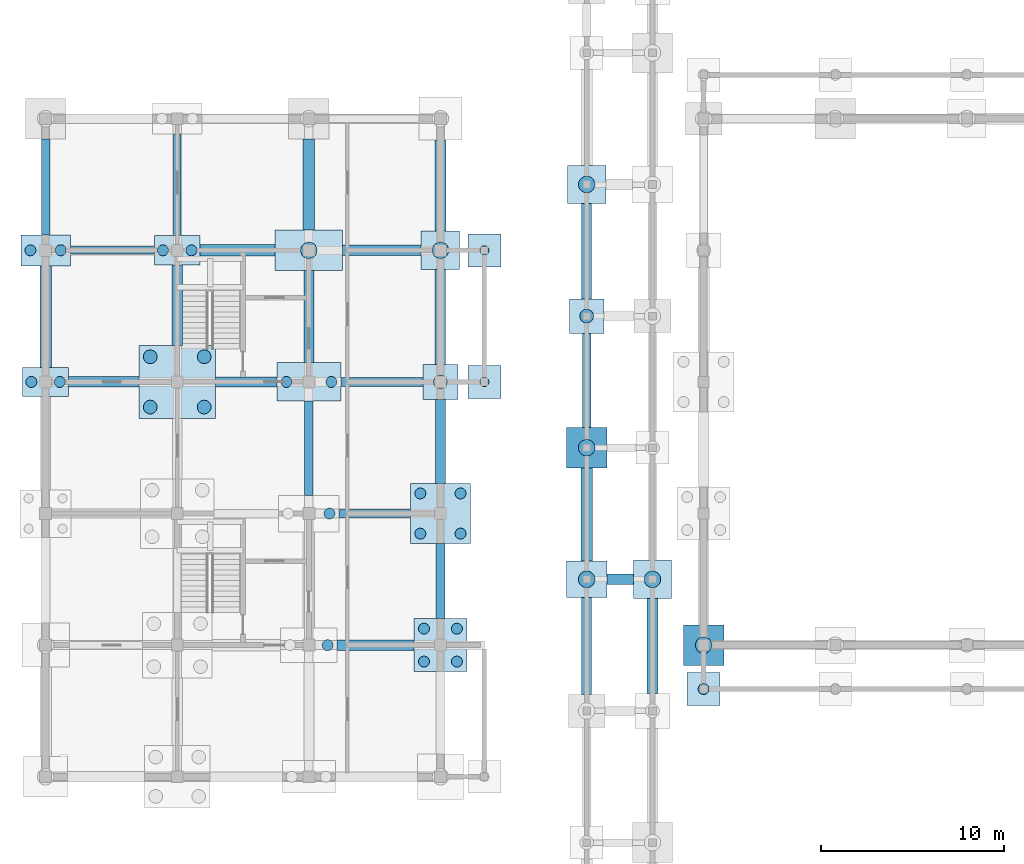
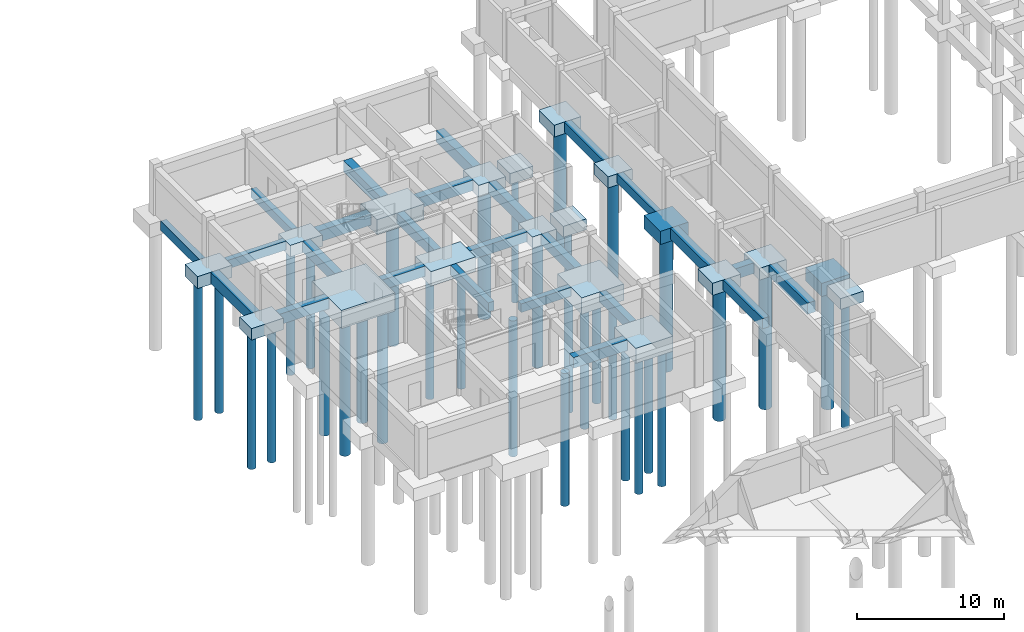
# One storey, part 8 of 38: 44 footings, 34 piles.
"""IFC4 building model written with IfcOpenShell, lengths in metres."""

from ifc_helpers import new_model, si_unit, direction, frame, origin, origin_2d, place, context, subcontext, project, spatial, polyline, rectangle, circle, outline, extrude, material, material_profile, profile_set, type_object, element, save


model = new_model("IFC4")

# Units and contexts
model_context = context("Model", 3, precision=1e-05, world=origin(), true_north=direction((0.0, 1.0)))
body_context = subcontext(model_context, "Body", "Model", "MODEL_VIEW")
ifc_project = project(units=[si_unit("LENGTHUNIT", "METRE"), si_unit("AREAUNIT", "SQUARE_METRE"), si_unit("VOLUMEUNIT", "CUBIC_METRE"), si_unit("PLANEANGLEUNIT", "RADIAN"), si_unit("MASSUNIT", "GRAM", prefix="KILO"), si_unit("THERMODYNAMICTEMPERATUREUNIT", "KELVIN"), si_unit("POWERUNIT", "WATT")], contexts=[model_context])

# Site, building, storey
site_placement = place(None, origin())
site = spatial("IfcSite", under=ifc_project, at=site_placement, CompositionType="ELEMENT")
building_placement = place(site_placement, origin())
building = spatial("IfcBuilding", under=site, at=building_placement, Name="Tavuni Mirador Residences", CompositionType="ELEMENT")
storey_placement = place(building_placement, frame((0.0, 0.0, -4.199951171875)))
storey = spatial("IfcBuildingStorey", under=building, at=storey_placement, Name="B1", CompositionType="ELEMENT", Elevation=-4.199951171875)

# Footings
ifc_material = material(Name="In-situ concrete C35/45", Category="concrete")
footing_type_1 = type_object("IfcFootingType", Name="FT-GB01", PredefinedType="FOOTING_BEAM", material=ifc_material)
footing_1_placement = place(storey_placement, frame((0.0, 0.0, -0.719970703125)))
element("IfcFooting", 1, at=footing_1_placement, inside=storey, type_object=footing_type_1, Name="GBX-BLK-B-00-04", PredefinedType="FOOTING_BEAM", context=body_context, shape_type="SweptSolid", body=[
    extrude(outline(polyline([(4.949951171875, 93.389892578125), (9.550048828125, 93.389892578125), (9.550048828125, 93.81005859375), (4.949951171875, 93.81005859375), (4.949951171875, 93.389892578125)])), origin(), (0.0, 0.0, 1.0), 0.719970703125),
])
footing_2_placement = place(storey_placement, frame((0.0, 0.0, -0.719970703125)))
element("IfcFooting", 2, at=footing_2_placement, inside=storey, type_object=footing_type_1, Name="GBY-BLK-B-01-04", PredefinedType="FOOTING_BEAM", context=body_context, shape_type="SweptSolid", body=[
    extrude(outline(polyline([(10.590087890625, 94.39990234375), (11.010009765625, 94.39990234375), (11.010009765625, 99.949951171875), (10.590087890625, 99.949951171875), (10.590087890625, 94.39990234375)])), origin(), (0.0, 0.0, 1.0), 0.719970703125),
])
footing_3_placement = place(storey_placement, frame((0.0, 0.0, -0.719970703125)))
element("IfcFooting", 3, at=footing_3_placement, inside=storey, type_object=footing_type_1, Name="GBX-BLK-B-02-02", PredefinedType="FOOTING_BEAM", context=body_context, shape_type="SweptSolid", body=[
    extrude(outline(polyline([(19.64990234375, 78.989990234375), (23.550048828125, 78.989990234375), (23.550048828125, 79.409912109375), (19.64990234375, 79.409912109375), (19.64990234375, 78.989990234375)])), origin(), (0.0, 0.0, 1.0), 0.719970703125),
])
footing_type_2 = type_object("IfcFootingType", Name="FT-GB02", PredefinedType="FOOTING_BEAM", material=ifc_material)
footing_4_placement = place(storey_placement, frame((0.0, 0.0, -0.760009765625)))
element("IfcFooting", 4, at=footing_4_placement, inside=storey, type_object=footing_type_2, Name="GBY-BLK-B-00-04", PredefinedType="FOOTING_BEAM", context=body_context, shape_type="SweptSolid", body=[
    extrude(outline(polyline([(3.3701171875, 94.449951171875), (3.830078125, 94.449951171875), (3.830078125, 99.699951171875), (3.3701171875, 99.699951171875), (3.3701171875, 94.449951171875)])), origin(), (0.0, 0.0, 1.0), 0.760009765625),
])
footing_5_placement = place(storey_placement, frame((0.0, 0.0, -0.760009765625)))
element("IfcFooting", 5, at=footing_5_placement, inside=storey, type_object=footing_type_2, Name="GBY-BLK-B-02-02", PredefinedType="FOOTING_BEAM", context=body_context, shape_type="SweptSolid", body=[
    extrude(outline(polyline([(17.77001953125, 80.199951171875), (18.22998046875, 80.199951171875), (18.22998046875, 85.35009765625), (17.77001953125, 85.35009765625), (17.77001953125, 80.199951171875)])), origin(), (0.0, 0.0, 1.0), 0.760009765625),
])
footing_6_placement = place(storey_placement, frame((0.0, 0.0, -0.760009765625)))
element("IfcFooting", 6, at=footing_6_placement, inside=storey, type_object=footing_type_2, Name="GBY-PAV-COL-00-04", PredefinedType="FOOTING_BEAM", context=body_context, shape_type="SweptSolid", body=[
    extrude(outline(polyline([(32.969970703125, 83.89990234375), (33.429931640625, 83.89990234375), (33.429931640625, 89.050048828125), (32.969970703125, 89.050048828125), (32.969970703125, 83.89990234375)])), origin(), (0.0, 0.0, 1.0), 0.760009765625),
])
footing_type_3 = type_object("IfcFootingType", Name="FT-GB03", PredefinedType="FOOTING_BEAM", material=ifc_material)
footing_7_placement = place(storey_placement, frame((0.0, 0.0, -0.800048828125)))
element("IfcFooting", 7, at=footing_7_placement, inside=storey, type_object=footing_type_3, Name="GBX-BLK-B-02-03", PredefinedType="FOOTING_BEAM", context=body_context, shape_type="SweptSolid", body=[
    extrude(outline(polyline([(19.75, 86.14990234375), (24.25, 86.14990234375), (24.25, 86.64990234375), (19.75, 86.64990234375), (19.75, 86.14990234375)])), origin(), (0.0, 0.0, 1.0), 0.800048828125),
])
footing_8_placement = place(storey_placement, frame((0.0, 0.0, -0.800048828125)))
element("IfcFooting", 8, at=footing_8_placement, inside=storey, type_object=footing_type_3, Name="GBY-BLK-B-03-01", PredefinedType="FOOTING_BEAM", context=body_context, shape_type="SweptSolid", body=[
    extrude(outline(polyline([(24.949951171875, 73.449951171875), (25.449951171875, 73.449951171875), (25.449951171875, 77.550048828125), (24.949951171875, 77.550048828125), (24.949951171875, 73.449951171875)])), origin(), (0.0, 0.0, 1.0), 0.800048828125),
])
footing_type_4 = type_object("IfcFootingType", Name="FT-GB04", PredefinedType="FOOTING_BEAM", material=ifc_material)
footing_9_placement = place(storey_placement, frame((0.0, 0.0, -0.840087890625)))
element("IfcFooting", 9, at=footing_9_placement, inside=storey, type_object=footing_type_4, Name="GBX-BLK-B-01-03", PredefinedType="FOOTING_BEAM", context=body_context, shape_type="SweptSolid", body=[
    extrude(outline(polyline([(12.89990234375, 86.1298828125), (16.25, 86.1298828125), (16.25, 86.669921875), (12.89990234375, 86.669921875), (12.89990234375, 86.1298828125)])), origin(), (0.0, 0.0, 1.0), 0.840087890625),
])
footing_10_placement = place(storey_placement, frame((0.0, 0.0, -0.840087890625)))
element("IfcFooting", 10, at=footing_10_placement, inside=storey, type_object=footing_type_4, Name="GBY-BLK-B-02-03", PredefinedType="FOOTING_BEAM", context=body_context, shape_type="SweptSolid", body=[
    extrude(outline(polyline([(17.72998046875, 87.449951171875), (18.27001953125, 87.449951171875), (18.27001953125, 92.5), (17.72998046875, 92.5), (17.72998046875, 87.449951171875)])), origin(), (0.0, 0.0, 1.0), 0.840087890625),
])
footing_11_placement = place(storey_placement, frame((0.0, 0.0, -0.840087890625)))
element("IfcFooting", 11, at=footing_11_placement, inside=storey, type_object=footing_type_4, Name="GBY-BLK-B-03-02", PredefinedType="FOOTING_BEAM", context=body_context, shape_type="SweptSolid", body=[
    extrude(outline(polyline([(24.929931640625, 80.85009765625), (25.469970703125, 80.85009765625), (25.469970703125, 85.449951171875), (24.929931640625, 85.449951171875), (24.929931640625, 80.85009765625)])), origin(), (0.0, 0.0, 1.0), 0.840087890625),
])
footing_12_placement = place(storey_placement, frame((0.0, 0.0, -0.840087890625)))
element("IfcFooting", 12, at=footing_12_placement, inside=storey, type_object=footing_type_4, Name="GBY-PAV-COL-00-02", PredefinedType="FOOTING_BEAM", context=body_context, shape_type="SweptSolid", body=[
    extrude(outline(polyline([(32.929931640625, 69.300048828125), (33.469970703125, 69.300048828125), (33.469970703125, 74.60009765625), (32.929931640625, 74.60009765625), (32.929931640625, 69.300048828125)])), origin(), (0.0, 0.0, 1.0), 0.840087890625),
])
footing_13_placement = place(storey_placement, frame((0.0, 0.0, -0.840087890625)))
element("IfcFooting", 13, at=footing_13_placement, inside=storey, type_object=footing_type_4, Name="GBY-PAV-COL-00-05", PredefinedType="FOOTING_BEAM", context=body_context, shape_type="SweptSolid", body=[
    extrude(outline(polyline([(32.929931640625, 90.949951171875), (33.469970703125, 90.949951171875), (33.469970703125, 96.14990234375), (32.929931640625, 96.14990234375), (32.929931640625, 90.949951171875)])), origin(), (0.0, 0.0, 1.0), 0.840087890625),
])
footing_type_5 = type_object("IfcFootingType", Name="FT-GB05", PredefinedType="FOOTING_BEAM", material=ifc_material)
footing_14_placement = place(storey_placement, frame((0.0, 0.0, -0.880126953125)))
element("IfcFooting", 14, at=footing_14_placement, inside=storey, type_object=footing_type_5, Name="GBX-BLK-B-00-03", PredefinedType="FOOTING_BEAM", context=body_context, shape_type="SweptSolid", body=[
    extrude(outline(polyline([(4.85009765625, 86.110107421875), (8.699951171875, 86.110107421875), (8.699951171875, 86.68994140625), (4.85009765625, 86.68994140625), (4.85009765625, 86.110107421875)])), origin(), (0.0, 0.0, 1.0), 0.880126953125),
])
footing_15_placement = place(storey_placement, frame((0.0, 0.0, -0.880126953125)))
element("IfcFooting", 15, at=footing_15_placement, inside=storey, type_object=footing_type_5, Name="GBY-BLK-B-01-03", PredefinedType="FOOTING_BEAM", context=body_context, shape_type="SweptSolid", body=[
    extrude(outline(polyline([(10.510009765625, 88.39990234375), (11.090087890625, 88.39990234375), (11.090087890625, 92.800048828125), (10.510009765625, 92.800048828125), (10.510009765625, 88.39990234375)])), origin(), (0.0, 0.0, 1.0), 0.880126953125),
])
footing_16_placement = place(storey_placement, frame((0.0, 0.0, -0.880126953125)))
element("IfcFooting", 16, at=footing_16_placement, inside=storey, type_object=footing_type_5, Name="GBX-BLK-B-02-01", PredefinedType="FOOTING_BEAM", context=body_context, shape_type="SweptSolid", body=[
    extrude(outline(polyline([(19.550048828125, 71.7099609375), (23.75, 71.7099609375), (23.75, 72.2900390625), (19.550048828125, 72.2900390625), (19.550048828125, 71.7099609375)])), origin(), (0.0, 0.0, 1.0), 0.880126953125),
])
footing_17_placement = place(storey_placement, frame((0.0, 0.0, -0.880126953125)))
element("IfcFooting", 17, at=footing_17_placement, inside=storey, type_object=footing_type_5, Name="GBX-BLK-B-02-04", PredefinedType="FOOTING_BEAM", context=body_context, shape_type="SweptSolid", body=[
    extrude(outline(polyline([(19.85009765625, 93.31005859375), (24.14990234375, 93.31005859375), (24.14990234375, 93.889892578125), (19.85009765625, 93.889892578125), (19.85009765625, 93.31005859375)])), origin(), (0.0, 0.0, 1.0), 0.880126953125),
])
footing_18_placement = place(storey_placement, frame((0.0, 0.0, -0.880126953125)))
element("IfcFooting", 18, at=footing_18_placement, inside=storey, type_object=footing_type_5, Name="GBY-BLK-B-03-03", PredefinedType="FOOTING_BEAM", context=body_context, shape_type="SweptSolid", body=[
    extrude(outline(polyline([(24.909912109375, 87.35009765625), (25.489990234375, 87.35009765625), (25.489990234375, 92.550048828125), (24.909912109375, 92.550048828125), (24.909912109375, 87.35009765625)])), origin(), (0.0, 0.0, 1.0), 0.880126953125),
])
footing_19_placement = place(storey_placement, frame((0.0, 0.0, -0.880126953125)))
element("IfcFooting", 19, at=footing_19_placement, inside=storey, type_object=footing_type_5, Name="GBX-PAV-COL-00-03", PredefinedType="FOOTING_BEAM", context=body_context, shape_type="SweptSolid", body=[
    extrude(outline(polyline([(34.300048828125, 75.31005859375), (35.75, 75.31005859375), (35.75, 75.889892578125), (34.300048828125, 75.889892578125), (34.300048828125, 75.31005859375)])), origin(), (0.0, 0.0, 1.0), 0.880126953125),
])
footing_type_6 = type_object("IfcFootingType", Name="FT-GB06", PredefinedType="FOOTING_BEAM", material=ifc_material)
footing_20_placement = place(storey_placement, frame((0.0, 0.0, -0.920166015625)))
element("IfcFooting", 20, at=footing_20_placement, inside=storey, type_object=footing_type_6, Name="GBY-BLK-B-00-03", PredefinedType="FOOTING_BEAM", context=body_context, shape_type="SweptSolid", body=[
    extrude(outline(polyline([(3.2900390625, 87.199951171875), (3.909912109375, 87.199951171875), (3.909912109375, 92.75), (3.2900390625, 92.75), (3.2900390625, 87.199951171875)])), origin(), (0.0, 0.0, 1.0), 0.920166015625),
])
footing_21_placement = place(storey_placement, frame((0.0, 0.0, -0.920166015625)))
element("IfcFooting", 21, at=footing_21_placement, inside=storey, type_object=footing_type_6, Name="GBX-BLK-B-01-04", PredefinedType="FOOTING_BEAM", context=body_context, shape_type="SweptSolid", body=[
    extrude(outline(polyline([(12.050048828125, 93.2900390625), (16.14990234375, 93.2900390625), (16.14990234375, 93.909912109375), (12.050048828125, 93.909912109375), (12.050048828125, 93.2900390625)])), origin(), (0.0, 0.0, 1.0), 0.920166015625),
])
footing_22_placement = place(storey_placement, frame((0.0, 0.0, -0.920166015625)))
element("IfcFooting", 22, at=footing_22_placement, inside=storey, type_object=footing_type_6, Name="GBY-BLK-B-02-04", PredefinedType="FOOTING_BEAM", context=body_context, shape_type="SweptSolid", body=[
    extrude(outline(polyline([(17.68994140625, 94.699951171875), (18.31005859375, 94.699951171875), (18.31005859375, 99.699951171875), (17.68994140625, 99.699951171875), (17.68994140625, 94.699951171875)])), origin(), (0.0, 0.0, 1.0), 0.920166015625),
])
footing_23_placement = place(storey_placement, frame((0.0, 0.0, -0.920166015625)))
element("IfcFooting", 23, at=footing_23_placement, inside=storey, type_object=footing_type_6, Name="GBY-BLK-B-03-04", PredefinedType="FOOTING_BEAM", context=body_context, shape_type="SweptSolid", body=[
    extrude(outline(polyline([(24.889892578125, 94.64990234375), (25.510009765625, 94.64990234375), (25.510009765625, 99.625), (24.889892578125, 99.625), (24.889892578125, 94.64990234375)])), origin(), (0.0, 0.0, 1.0), 0.920166015625),
])
footing_24_placement = place(storey_placement, frame((0.0, 0.0, -0.920166015625)))
element("IfcFooting", 24, at=footing_24_placement, inside=storey, type_object=footing_type_6, Name="GBY-PAV-COL-00-03", PredefinedType="FOOTING_BEAM", context=body_context, shape_type="SweptSolid", body=[
    extrude(outline(polyline([(32.889892578125, 76.60009765625), (33.510009765625, 76.60009765625), (33.510009765625, 81.699951171875), (32.889892578125, 81.699951171875), (32.889892578125, 76.60009765625)])), origin(), (0.0, 0.0, 1.0), 0.920166015625),
])
footing_25_placement = place(storey_placement, frame((0.0, 0.0, -0.920166015625)))
element("IfcFooting", 25, at=footing_25_placement, inside=storey, type_object=footing_type_6, Name="GBY-PAV-COL-01-02", PredefinedType="FOOTING_BEAM", context=body_context, shape_type="SweptSolid", body=[
    extrude(outline(polyline([(36.489990234375, 69.35009765625), (37.110107421875, 69.35009765625), (37.110107421875, 74.550048828125), (36.489990234375, 74.550048828125), (36.489990234375, 69.35009765625)])), origin(), (0.0, 0.0, 1.0), 0.920166015625),
])
footing_type_7 = type_object("IfcFootingType", Name="FT-PC01", PredefinedType="PILE_CAP", material=ifc_material)
for number, where, z_axis, x_axis, name in (
    (26, (27.60009765625, 86.39990234375, -0.89990234375), (0.0, 0.0, 1.0), (1.0, 0.0, 0.0), "CAP-APR-BLKB-E2-1"),
    (27, (27.60009765625, 93.60009765625, -0.89990234375), (0.0, 0.0, 1.0), (1.0, 0.0, 0.0), "CAP-APR-BLKB-E2-2"),
    (28, (39.60009765625, 69.60009765625, -0.89990234375), (0.0, 0.0, 1.0), (1.0, 0.0, 0.0), "CAP-HALL-EAVE-S-00"),
):
    element("IfcFooting", number, at=place(storey_placement, frame(where, z_axis=z_axis, x_axis=x_axis)), inside=storey, type_object=footing_type_7, Name=name, PredefinedType="PILE_CAP", context=body_context, shape_type="SweptSolid", body=[
        extrude(rectangle(XDim=1.800048828125, YDim=1.800048828125, at=origin_2d()), origin(), (0.0, 0.0, 1.0), 0.89990234375),
    ])
footing_type_8 = type_object("IfcFootingType", Name="FT-PC03", PredefinedType="PILE_CAP", material=ifc_material)
footing_26_placement = place(storey_placement, frame((33.199951171875, 75.60009765625, -1.0), z_axis=(0.0, 0.0, 1.0), x_axis=(1.0, 0.0, 0.0)))
element("IfcFooting", 29, at=footing_26_placement, inside=storey, type_object=footing_type_8, Name="CAP-PAV-COL-00-03", PredefinedType="PILE_CAP", context=body_context, shape_type="SweptSolid", body=[
    extrude(rectangle(XDim=2.199951171875, YDim=2.0, at=origin_2d()), origin(), (0.0, 0.0, 1.0), 1.0),
])
footing_type_9 = type_object("IfcFootingType", Name="FT-PC13", PredefinedType="PILE_CAP", material=ifc_material)
footing_27_placement = place(storey_placement, frame((10.800048828125, 86.39990234375, -1.5), z_axis=(0.0, 0.0, 1.0), x_axis=(1.0, 0.0, 0.0)))
element("IfcFooting", 30, at=footing_27_placement, inside=storey, type_object=footing_type_9, Name="CAP-BLK-B-01-03", PredefinedType="PILE_CAP", context=body_context, shape_type="SweptSolid", body=[
    extrude(rectangle(XDim=4.199951171875, YDim=4.0, at=origin_2d()), origin(), (0.0, 0.0, 1.0), 1.5),
])
footing_type_10 = type_object("IfcFootingType", Name="FT-PC14", PredefinedType="PILE_CAP", material=ifc_material)
for number, where, z_axis, x_axis, name in (
    (31, (3.60009765625, 86.39990234375, -0.9501953125), (0.0, 0.0, 1.0), (1.0, 0.0, 0.0), "CAP-BLK-B-00-03"),
    (32, (10.800048828125, 93.60009765625, -0.9501953125), (0.0, 0.0, 1.0), (1.0, 0.0, 0.0), "CAP-BLK-B-01-04"),
):
    element("IfcFooting", number, at=place(storey_placement, frame(where, z_axis=z_axis, x_axis=x_axis)), inside=storey, type_object=footing_type_10, Name=name, PredefinedType="PILE_CAP", context=body_context, shape_type="SweptSolid", body=[
        extrude(rectangle(XDim=2.5, YDim=1.60009765625, at=origin_2d()), origin(), (0.0, 0.0, 1.0), 0.949951171875),
    ])
footing_type_11 = type_object("IfcFootingType", Name="FT-PC15", PredefinedType="PILE_CAP", material=ifc_material)
footing_28_placement = place(storey_placement, frame((3.60009765625, 93.60009765625, -1.0), z_axis=(0.0, 0.0, 1.0), x_axis=(1.0, 0.0, 0.0)))
element("IfcFooting", 33, at=footing_28_placement, inside=storey, type_object=footing_type_11, Name="CAP-BLK-B-00-04", PredefinedType="PILE_CAP", context=body_context, shape_type="SweptSolid", body=[
    extrude(rectangle(XDim=2.699951171875, YDim=1.699951171875, at=origin_2d()), origin(), (0.0, 0.0, 1.0), 1.0),
])
footing_type_12 = type_object("IfcFootingType", Name="FT-PC19", PredefinedType="PILE_CAP", material=ifc_material)
footing_29_placement = place(storey_placement, frame((18.0, 86.39990234375, -1.2001953125), z_axis=(0.0, 0.0, 1.0), x_axis=(1.0, 0.0, 0.0)))
element("IfcFooting", 34, at=footing_29_placement, inside=storey, type_object=footing_type_12, Name="CAP-BLK-B-02-03", PredefinedType="PILE_CAP", context=body_context, shape_type="SweptSolid", body=[
    extrude(rectangle(XDim=3.5, YDim=2.10009765625, at=origin_2d()), origin(), (0.0, 0.0, 1.0), 1.199951171875),
])
footing_type_13 = type_object("IfcFootingType", Name="FT-PC20", PredefinedType="PILE_CAP", material=ifc_material)
footing_30_placement = place(storey_placement, frame((18.0, 93.60009765625, -1.25), z_axis=(0.0, 0.0, 1.0), x_axis=(1.0, 0.0, 0.0)))
element("IfcFooting", 35, at=footing_30_placement, inside=storey, type_object=footing_type_13, Name="CAP-BLK-B-02-04", PredefinedType="PILE_CAP", context=body_context, shape_type="SweptSolid", body=[
    extrude(rectangle(XDim=3.699951171875, YDim=2.199951171875, at=origin_2d()), origin(), (0.0, 0.0, 1.0), 1.25),
])
footing_type_14 = type_object("IfcFootingType", Name="FT-PC21", PredefinedType="PILE_CAP", material=ifc_material)
for number, where, z_axis, x_axis, name in (
    (36, (39.60009765625, 72.0, -1.10009765625), (0.0, 0.0, 1.0), (1.0, 0.0, 0.0), "CAP-PAV-HALL-00-00"),
    (37, (33.199951171875, 82.800048828125, -1.10009765625), (0.0, 0.0, 1.0), (1.0, 0.0, 0.0), "CAP-PAV-COL-00-04"),
):
    element("IfcFooting", number, at=place(storey_placement, frame(where, z_axis=z_axis, x_axis=x_axis)), inside=storey, type_object=footing_type_14, Name=name, PredefinedType="PILE_CAP", context=body_context, shape_type="SweptSolid", body=[
        extrude(rectangle(XDim=2.199951171875, YDim=2.199951171875, at=origin_2d()), origin(), (0.0, 0.0, 1.0), 1.10009765625),
    ])
footing_type_15 = type_object("IfcFootingType", Name="FT-PC23", PredefinedType="PILE_CAP", material=ifc_material)
footing_31_placement = place(storey_placement, frame((25.199951171875, 72.0, -1.25), z_axis=(0.0, 0.0, 1.0), x_axis=(1.0, 0.0, 0.0)))
element("IfcFooting", 38, at=footing_31_placement, inside=storey, type_object=footing_type_15, Name="CAP-BLK-B-03-01", PredefinedType="PILE_CAP", context=body_context, shape_type="SweptSolid", body=[
    extrude(rectangle(XDim=2.89990234375, YDim=2.89990234375, at=origin_2d()), origin(), (0.0, 0.0, 1.0), 1.25),
])
footing_type_16 = type_object("IfcFootingType", Name="FT-PC24", PredefinedType="PILE_CAP", material=ifc_material)
footing_32_placement = place(storey_placement, frame((25.199951171875, 79.199951171875, -1.35009765625), z_axis=(0.0, 0.0, 1.0), x_axis=(1.0, 0.0, 0.0)))
element("IfcFooting", 39, at=footing_32_placement, inside=storey, type_object=footing_type_16, Name="CAP-BLK-B-03-02", PredefinedType="PILE_CAP", context=body_context, shape_type="SweptSolid", body=[
    extrude(rectangle(XDim=3.300048828125, YDim=3.300048828125, at=origin_2d()), origin(), (0.0, 0.0, 1.0), 1.35009765625),
])
footing_type_17 = type_object("IfcFootingType", Name="FT-PC25", PredefinedType="PILE_CAP", material=ifc_material)
for number, where, z_axis, x_axis, name in (
    (40, (25.199951171875, 86.39990234375, -0.919921875), (0.0, 0.0, 1.0), (1.0, 0.0, 0.0), "CAP-BLK-B-03-03"),
    (41, (33.199951171875, 90.0, -0.919921875), (0.0, 0.0, 1.0), (1.0, 0.0, 0.0), "CAP-PAV-COL-00-05"),
):
    element("IfcFooting", number, at=place(storey_placement, frame(where, z_axis=z_axis, x_axis=x_axis)), inside=storey, type_object=footing_type_17, Name=name, PredefinedType="PILE_CAP", context=body_context, shape_type="SweptSolid", body=[
        extrude(rectangle(XDim=1.89990234375, YDim=1.89990234375, at=origin_2d()), origin(), (0.0, 0.0, 1.0), 0.919921875),
    ])
footing_type_18 = type_object("IfcFootingType", Name="FT-PC26", PredefinedType="PILE_CAP", material=ifc_material)
for number, where, z_axis, x_axis, name in (
    (42, (25.199951171875, 93.60009765625, -0.97998046875), (0.0, 0.0, 1.0), (1.0, 0.0, 0.0), "CAP-BLK-B-03-04"),
    (43, (33.199951171875, 97.199951171875, -0.97998046875), (0.0, 0.0, 1.0), (1.0, 0.0, 0.0), "CAP-PAV-COL-00-06"),
    (44, (36.800048828125, 75.60009765625, -0.97998046875), (0.0, 0.0, 1.0), (1.0, 0.0, 0.0), "CAP-PAV-COL-01-03"),
):
    element("IfcFooting", number, at=place(storey_placement, frame(where, z_axis=z_axis, x_axis=x_axis)), inside=storey, type_object=footing_type_18, Name=name, PredefinedType="PILE_CAP", context=body_context, shape_type="SweptSolid", body=[
        extrude(rectangle(XDim=2.10009765625, YDim=2.10009765625, at=origin_2d()), origin(), (0.0, 0.0, 1.0), 0.97998046875),
    ])

# Piles
ifc_material_profile_1 = material_profile(ifc_material, circle(Radius=0.25, at=origin_2d()), Name="PILE D500", Category="concrete")
ifc_profile_set_1 = profile_set([ifc_material_profile_1], Name="In-situ concrete C35/45")
pile_type_1 = type_object("IfcPileType", Name="PT-D500", PredefinedType="BORED", material=ifc_profile_set_1)
for number, where, z_axis, x_axis, name in (
    (45, (27.60009765625, 86.39990234375, -0.800048828125), (0.0, 0.0, -1.0), (1.0, 0.0, 0.0), "PIL-APR-BLKB-E2-1"),
    (46, (27.60009765625, 93.60009765625, -0.800048828125), (0.0, 0.0, -1.0), (1.0, 0.0, 0.0), "PIL-APR-BLKB-E2-2"),
):
    element("IfcPile", number, at=place(storey_placement, frame(where, z_axis=z_axis, x_axis=x_axis)), inside=storey, type_object=pile_type_1, Name=name, PredefinedType="BORED", context=body_context, shape_type="SweptSolid", body=[
        extrude(circle(Radius=0.25, at=origin_2d()), origin(), (0.0, 0.0, 1.0), 10.60009765625),
    ])
ifc_material_profile_2 = material_profile(ifc_material, circle(Radius=0.300048828125, at=origin_2d()), Name="PILE D600", Category="concrete")
ifc_profile_set_2 = profile_set([ifc_material_profile_2], Name="In-situ concrete C35/45")
pile_type_2 = type_object("IfcPileType", Name="PT-D600", PredefinedType="BORED", material=ifc_profile_set_2)
for number, where, z_axis, x_axis, name in (
    (47, (2.820068359375, 86.39990234375, -0.949951171875), (0.0, 0.0, -1.0), (1.0, 0.0, 0.0), "PIL-BLK-B-00-03-1"),
    (48, (4.3798828125, 86.39990234375, -0.949951171875), (0.0, 0.0, -1.0), (1.0, 0.0, 0.0), "PIL-BLK-B-00-03-2"),
):
    element("IfcPile", number, at=place(storey_placement, frame(where, z_axis=z_axis, x_axis=x_axis)), inside=storey, type_object=pile_type_2, Name=name, PredefinedType="BORED", context=body_context, shape_type="SweptSolid", body=[
        extrude(circle(Radius=0.300048828125, at=origin_2d()), origin(), (0.0, 0.0, 1.0), 11.14990234375),
    ])
for number, where, z_axis, x_axis, name in (
    (49, (2.77001953125, 93.60009765625, -1.0), (0.0, 0.0, -1.0), (1.0, 0.0, 0.0), "PIL-BLK-B-00-04-1"),
    (50, (4.429931640625, 93.60009765625, -1.0), (0.0, 0.0, -1.0), (1.0, 0.0, 0.0), "PIL-BLK-B-00-04-2"),
):
    element("IfcPile", number, at=place(storey_placement, frame(where, z_axis=z_axis, x_axis=x_axis)), inside=storey, type_object=pile_type_2, Name=name, PredefinedType="BORED", context=body_context, shape_type="SweptSolid", body=[
        extrude(circle(Radius=0.300048828125, at=origin_2d()), origin(), (0.0, 0.0, 1.0), 11.39990234375),
    ])
for number, where, z_axis, x_axis, name in (
    (51, (10.02001953125, 93.60009765625, -0.949951171875), (0.0, 0.0, -1.0), (1.0, 0.0, 0.0), "PIL-BLK-B-01-04-1"),
    (52, (11.580078125, 93.60009765625, -0.949951171875), (0.0, 0.0, -1.0), (1.0, 0.0, 0.0), "PIL-BLK-B-01-04-2"),
):
    element("IfcPile", number, at=place(storey_placement, frame(where, z_axis=z_axis, x_axis=x_axis)), inside=storey, type_object=pile_type_2, Name=name, PredefinedType="BORED", context=body_context, shape_type="SweptSolid", body=[
        extrude(circle(Radius=0.300048828125, at=origin_2d()), origin(), (0.0, 0.0, 1.0), 10.25),
    ])
pile_1_placement = place(storey_placement, frame((19.030029296875, 72.0, -1.10009765625), z_axis=(0.0, 0.0, -1.0), x_axis=(1.0, 0.0, 0.0)))
element("IfcPile", 53, at=pile_1_placement, inside=storey, type_object=pile_type_2, Name="PIL-BLK-B-02-01-2", PredefinedType="BORED", context=body_context, shape_type="SweptSolid", body=[
    extrude(circle(Radius=0.300048828125, at=origin_2d()), origin(), (0.0, 0.0, 1.0), 11.0),
])
pile_2_placement = place(storey_placement, frame((19.1298828125, 79.199951171875, -1.150146484375), z_axis=(0.0, 0.0, -1.0), x_axis=(1.0, 0.0, 0.0)))
element("IfcPile", 54, at=pile_2_placement, inside=storey, type_object=pile_type_2, Name="PIL-BLK-B-02-02-2", PredefinedType="BORED", context=body_context, shape_type="SweptSolid", body=[
    extrude(circle(Radius=0.300048828125, at=origin_2d()), origin(), (0.0, 0.0, 1.0), 11.25),
])
for number, where, z_axis, x_axis, name in (
    (55, (16.77001953125, 86.39990234375, -1.199951171875), (0.0, 0.0, -1.0), (1.0, 0.0, 0.0), "PIL-BLK-B-02-03-1"),
    (56, (19.22998046875, 86.39990234375, -1.199951171875), (0.0, 0.0, -1.0), (1.0, 0.0, 0.0), "PIL-BLK-B-02-03-2"),
):
    element("IfcPile", number, at=place(storey_placement, frame(where, z_axis=z_axis, x_axis=x_axis)), inside=storey, type_object=pile_type_2, Name=name, PredefinedType="BORED", context=body_context, shape_type="SweptSolid", body=[
        extrude(circle(Radius=0.300048828125, at=origin_2d()), origin(), (0.0, 0.0, 1.0), 10.0),
    ])
for number, where, z_axis, x_axis, name in (
    (57, (24.300048828125, 71.10009765625, -1.25), (0.0, 0.0, -1.0), (1.0, 0.0, 0.0), "PIL-BLK-B-03-01-1"),
    (58, (26.10009765625, 71.10009765625, -1.25), (0.0, 0.0, -1.0), (1.0, 0.0, 0.0), "PIL-BLK-B-03-01-2"),
    (59, (24.300048828125, 72.89990234375, -1.25), (0.0, 0.0, -1.0), (1.0, 0.0, 0.0), "PIL-BLK-B-03-01-3"),
    (60, (26.10009765625, 72.89990234375, -1.25), (0.0, 0.0, -1.0), (1.0, 0.0, 0.0), "PIL-BLK-B-03-01-4"),
):
    element("IfcPile", number, at=place(storey_placement, frame(where, z_axis=z_axis, x_axis=x_axis)), inside=storey, type_object=pile_type_2, Name=name, PredefinedType="BORED", context=body_context, shape_type="SweptSolid", body=[
        extrude(circle(Radius=0.300048828125, at=origin_2d()), origin(), (0.0, 0.0, 1.0), 11.14990234375),
    ])
for number, where, z_axis, x_axis, name in (
    (61, (24.10009765625, 78.10009765625, -1.35009765625), (0.0, 0.0, -1.0), (1.0, 0.0, 0.0), "PIL-BLK-B-03-02-1"),
    (62, (26.300048828125, 78.10009765625, -1.35009765625), (0.0, 0.0, -1.0), (1.0, 0.0, 0.0), "PIL-BLK-B-03-02-2"),
    (63, (24.10009765625, 80.300048828125, -1.35009765625), (0.0, 0.0, -1.0), (1.0, 0.0, 0.0), "PIL-BLK-B-03-02-3"),
    (64, (26.300048828125, 80.300048828125, -1.35009765625), (0.0, 0.0, -1.0), (1.0, 0.0, 0.0), "PIL-BLK-B-03-02-4"),
):
    element("IfcPile", number, at=place(storey_placement, frame(where, z_axis=z_axis, x_axis=x_axis)), inside=storey, type_object=pile_type_2, Name=name, PredefinedType="BORED", context=body_context, shape_type="SweptSolid", body=[
        extrude(circle(Radius=0.300048828125, at=origin_2d()), origin(), (0.0, 0.0, 1.0), 9.85009765625),
    ])
pile_3_placement = place(storey_placement, frame((39.60009765625, 69.60009765625, -0.800048828125), z_axis=(0.0, 0.0, -1.0), x_axis=(1.0, 0.0, 0.0)))
element("IfcPile", 65, at=pile_3_placement, inside=storey, type_object=pile_type_2, Name="PIL-HALL-EAVE-S-00", PredefinedType="BORED", context=body_context, shape_type="SweptSolid", body=[
    extrude(circle(Radius=0.300048828125, at=origin_2d()), origin(), (0.0, 0.0, 1.0), 10.60009765625),
])
ifc_material_profile_3 = material_profile(ifc_material, circle(Radius=0.375, at=origin_2d()), Name="PILE D750", Category="concrete")
ifc_profile_set_3 = profile_set([ifc_material_profile_3], Name="In-situ concrete C35/45")
pile_type_3 = type_object("IfcPileType", Name="PT-D750", PredefinedType="BORED", material=ifc_profile_set_3)
for number, where, z_axis, x_axis, name in (
    (66, (9.324951171875, 85.02490234375, -1.5), (0.0, 0.0, -1.0), (1.0, 0.0, 0.0), "PIL-BLK-B-01-03-1"),
    (67, (12.27490234375, 85.02490234375, -1.5), (0.0, 0.0, -1.0), (1.0, 0.0, 0.0), "PIL-BLK-B-01-03-2"),
    (68, (9.324951171875, 87.77490234375, -1.5), (0.0, 0.0, -1.0), (1.0, 0.0, 0.0), "PIL-BLK-B-01-03-3"),
    (69, (12.27490234375, 87.77490234375, -1.5), (0.0, 0.0, -1.0), (1.0, 0.0, 0.0), "PIL-BLK-B-01-03-4"),
):
    element("IfcPile", number, at=place(storey_placement, frame(where, z_axis=z_axis, x_axis=x_axis)), inside=storey, type_object=pile_type_3, Name=name, PredefinedType="BORED", context=body_context, shape_type="SweptSolid", body=[
        extrude(circle(Radius=0.375, at=origin_2d()), origin(), (0.0, 0.0, 1.0), 10.89990234375),
    ])
pile_4_placement = place(storey_placement, frame((25.199951171875, 86.39990234375, -0.920166015625), z_axis=(0.0, 0.0, -1.0), x_axis=(1.0, 0.0, 0.0)))
element("IfcPile", 70, at=pile_4_placement, inside=storey, type_object=pile_type_3, Name="PIL-BLK-B-03-03-1", PredefinedType="BORED", context=body_context, shape_type="SweptSolid", body=[
    extrude(circle(Radius=0.375, at=origin_2d()), origin(), (0.0, 0.0, 1.0), 10.580078125),
])
pile_5_placement = place(storey_placement, frame((33.199951171875, 90.0, -0.920166015625), z_axis=(0.0, 0.0, -1.0), x_axis=(1.0, 0.0, 0.0)))
element("IfcPile", 71, at=pile_5_placement, inside=storey, type_object=pile_type_3, Name="PIL-PAV-COL-00-05-1", PredefinedType="BORED", context=body_context, shape_type="SweptSolid", body=[
    extrude(circle(Radius=0.375, at=origin_2d()), origin(), (0.0, 0.0, 1.0), 10.280029296875),
])
ifc_material_profile_4 = material_profile(ifc_material, circle(Radius=0.449951171875, at=origin_2d()), Name="PILE D900", Category="concrete")
ifc_profile_set_4 = profile_set([ifc_material_profile_4], Name="In-situ concrete C35/45")
pile_type_4 = type_object("IfcPileType", Name="PT-D900", PredefinedType="BORED", material=ifc_profile_set_4)
pile_6_placement = place(storey_placement, frame((18.0, 93.60009765625, -1.25), z_axis=(0.0, 0.0, -1.0), x_axis=(1.0, 0.0, 0.0)))
element("IfcPile", 72, at=pile_6_placement, inside=storey, type_object=pile_type_4, Name="PIL-BLK-B-02-04-1", PredefinedType="BORED", context=body_context, shape_type="SweptSolid", body=[
    extrude(circle(Radius=0.449951171875, at=origin_2d()), origin(), (0.0, 0.0, 1.0), 10.25),
])
pile_7_placement = place(storey_placement, frame((25.199951171875, 93.60009765625, -0.97998046875), z_axis=(0.0, 0.0, -1.0), x_axis=(1.0, 0.0, 0.0)))
element("IfcPile", 73, at=pile_7_placement, inside=storey, type_object=pile_type_4, Name="PIL-BLK-B-03-04-1", PredefinedType="BORED", context=body_context, shape_type="SweptSolid", body=[
    extrude(circle(Radius=0.449951171875, at=origin_2d()), origin(), (0.0, 0.0, 1.0), 10.820068359375),
])
pile_8_placement = place(storey_placement, frame((39.60009765625, 72.0, -1.10009765625), z_axis=(0.0, 0.0, -1.0), x_axis=(1.0, 0.0, 0.0)))
element("IfcPile", 74, at=pile_8_placement, inside=storey, type_object=pile_type_4, Name="PIL-PAV-HALL-00-00-1", PredefinedType="BORED", context=body_context, shape_type="SweptSolid", body=[
    extrude(circle(Radius=0.449951171875, at=origin_2d()), origin(), (0.0, 0.0, 1.0), 10.10009765625),
])
pile_9_placement = place(storey_placement, frame((33.199951171875, 75.60009765625, -1.0), z_axis=(0.0, 0.0, -1.0), x_axis=(1.0, 0.0, 0.0)))
element("IfcPile", 75, at=pile_9_placement, inside=storey, type_object=pile_type_4, Name="PIL-PAV-COL-00-03-1", PredefinedType="BORED", context=body_context, shape_type="SweptSolid", body=[
    extrude(circle(Radius=0.449951171875, at=origin_2d()), origin(), (0.0, 0.0, 1.0), 11.10009765625),
])
pile_10_placement = place(storey_placement, frame((33.199951171875, 82.800048828125, -1.10009765625), z_axis=(0.0, 0.0, -1.0), x_axis=(1.0, 0.0, 0.0)))
element("IfcPile", 76, at=pile_10_placement, inside=storey, type_object=pile_type_4, Name="PIL-PAV-COL-00-04-1", PredefinedType="BORED", context=body_context, shape_type="SweptSolid", body=[
    extrude(circle(Radius=0.449951171875, at=origin_2d()), origin(), (0.0, 0.0, 1.0), 11.300048828125),
])
pile_11_placement = place(storey_placement, frame((33.199951171875, 97.199951171875, -0.97998046875), z_axis=(0.0, 0.0, -1.0), x_axis=(1.0, 0.0, 0.0)))
element("IfcPile", 77, at=pile_11_placement, inside=storey, type_object=pile_type_4, Name="PIL-PAV-COL-00-06-1", PredefinedType="BORED", context=body_context, shape_type="SweptSolid", body=[
    extrude(circle(Radius=0.449951171875, at=origin_2d()), origin(), (0.0, 0.0, 1.0), 10.52001953125),
])
pile_12_placement = place(storey_placement, frame((36.800048828125, 75.60009765625, -0.97998046875), z_axis=(0.0, 0.0, -1.0), x_axis=(1.0, 0.0, 0.0)))
element("IfcPile", 78, at=pile_12_placement, inside=storey, type_object=pile_type_4, Name="PIL-PAV-COL-01-03-1", PredefinedType="BORED", context=body_context, shape_type="SweptSolid", body=[
    extrude(circle(Radius=0.449951171875, at=origin_2d()), origin(), (0.0, 0.0, 1.0), 11.419921875),
])

save(model, "model.ifc")
